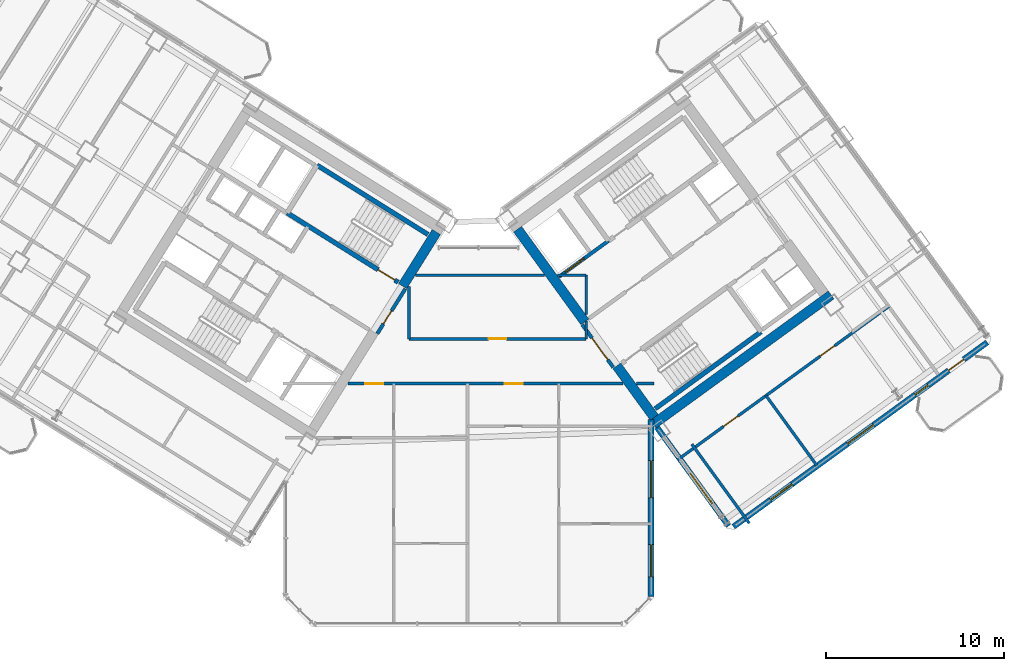
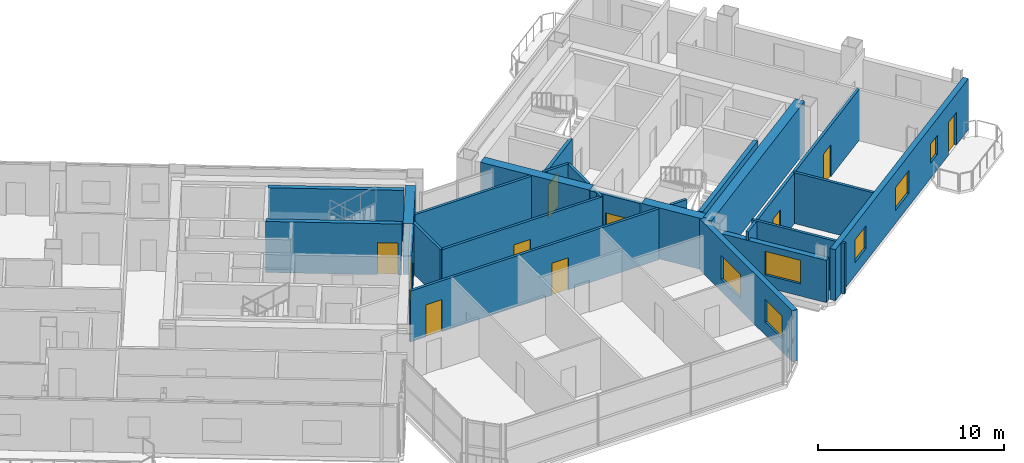
# One storey, part 19 of 29: 24 walls, 10 doors, 6 windows, 16 openings.
"""IFC4 building model written with IfcOpenShell, lengths in metres."""

from ifc_helpers import new_model, si_unit, direction, frame, frame_2d, origin, place, context, subcontext, project, spatial, rectangle, extrude, source, transform, mapped, material, layer, layer_set, type_object, element, fill, save


model = new_model("IFC4")

# Units and contexts
model_context = context("Model", 3, precision=1e-05, world=origin(), true_north=direction((0.0, 1.0)))
body_context = subcontext(model_context, "Body", "Model", "MODEL_VIEW")
ifc_project = project(units=[si_unit("LENGTHUNIT", "METRE"), si_unit("AREAUNIT", "SQUARE_METRE"), si_unit("VOLUMEUNIT", "CUBIC_METRE"), si_unit("PLANEANGLEUNIT", "RADIAN"), si_unit("MASSUNIT", "GRAM", prefix="KILO")], contexts=[model_context])

# Site, building, storey
site_placement = place(None, origin())
site = spatial("IfcSite", under=ifc_project, at=site_placement, CompositionType="ELEMENT")
building_placement = place(site_placement, origin())
building = spatial("IfcBuilding", under=site, at=building_placement, Name="Tlacorven Tower", CompositionType="ELEMENT")
storey_placement = place(building_placement, frame((0.0, 0.0, 158.699951171875)))
storey = spatial("IfcBuildingStorey", under=building, at=storey_placement, Name="L40", CompositionType="ELEMENT", Elevation=158.699951171875)

# Walls
ifc_material_1 = material(Name="Concrete C60/75", Category="concrete")
ifc_layer_1 = layer(ifc_material_1, 0.550048828125)
ifc_layer_set_1 = layer_set([ifc_layer_1], Name="Concrete C60/75")
wall_type_1 = type_object("IfcWallType", Name="WL-COR-550", PredefinedType="SHEAR", material=ifc_layer_set_1)
wall_1_placement = place(storey_placement, frame((40.194091796875, 23.92236328125, 0.0), z_axis=(0.0, 0.0, 1.0), x_axis=(-0.529888438328, -0.848067357541, 0.0)))
element("IfcWall", 1, at=wall_1_placement, inside=storey, type_object=wall_type_1, Name="L40 W core end wall E1.1", PredefinedType="SHEAR", context=body_context, shape_type="SweptSolid", body=[
    extrude(rectangle(XDim=3.574951171875, YDim=0.550048828125, at=frame_2d((1.78759765625, 0.0))), origin(), (0.0, 0.0, 1.0), 3.35009765625),
])
wall_2_placement = place(storey_placement, frame((52.35888671875, 13.1396484375, 0.0), z_axis=(0.0, 0.0, 1.0), x_axis=(0.809014896919, 0.587788139183, 0.0)))
element("IfcWall", 2, at=wall_2_placement, inside=storey, type_object=wall_type_1, Name="L40 E core shear wall S1", PredefinedType="SHEAR", context=body_context, shape_type="SweptSolid", body=[
    extrude(rectangle(XDim=12.340087890625, YDim=0.550048828125, at=frame_2d((6.169921875, 0.0))), origin(), (0.0, 0.0, 1.0), 3.35009765625),
])
wall_3_placement = place(storey_placement, frame((52.419677734375, 13.52392578125, 0.0), z_axis=(0.0, 0.0, 1.0), x_axis=(-0.587802113096, 0.809004744015, 0.0)))
element("IfcWall", 3, at=wall_3_placement, inside=storey, type_object=wall_type_1, Name="L40 E core end wall E1.1", PredefinedType="SHEAR", context=body_context, shape_type="SweptSolid", body=[
    extrude(rectangle(XDim=3.574951171875, YDim=0.550048828125, at=frame_2d((1.78759765625, 0.0))), origin(), (0.0, 0.0, 1.0), 3.35009765625),
])
wall_4_placement = place(storey_placement, frame((48.525634765625, 18.883544921875, 0.0), z_axis=(0.0, 0.0, 1.0), x_axis=(-0.587764933797, 0.809031756236, 0.0)))
element("IfcWall", 4, at=wall_4_placement, inside=storey, type_object=wall_type_1, Name="L40 E core end wall E1.2", PredefinedType="SHEAR", context=body_context, shape_type="SweptSolid", body=[
    extrude(rectangle(XDim=6.425048828125, YDim=0.550048828125, at=frame_2d((3.21240234375, 0.0))), origin(), (0.0, 0.0, 1.0), 3.35009765625),
])

# Wall, openings, doors
ifc_material_2 = material(Name="Gypsum plasterboard acoustic partition", Category="gypsum")
ifc_layer_2 = layer(ifc_material_2, 0.159912109375)
ifc_layer_set_2 = layer_set([ifc_layer_2], Name="Gypsum plasterboard acoustic partition")
wall_type_2 = type_object("IfcWallType", Name="WL-DEM-160", PredefinedType="PARTITIONING", material=ifc_layer_set_2)
wall_5_placement = place(storey_placement, frame((35.2373046875, 15.419921875, 0.0), z_axis=(0.0, 0.0, 1.0), x_axis=(1.0, 0.0, 0.0)))
wall_5 = element("IfcWall", 5, at=wall_5_placement, inside=storey, type_object=wall_type_2, Name="L40 Knuckle Corridor South Wall", PredefinedType="PARTITIONING", context=body_context, shape_type="SweptSolid", body=[
    extrude(rectangle(XDim=15.431640625, YDim=0.159912109375, at=frame_2d((7.7158203125, 0.0))), origin(), (0.0, 0.0, 1.0), 3.340087890625),
])
opening_1_placement = place(wall_5_placement, frame((0.968994140625, 0.0, 0.0)))
opening_1 = element("IfcOpeningElement", 6, at=opening_1_placement, cuts=wall_5, Name="Opening D11", PredefinedType="OPENING", context=body_context, shape_type="SweptSolid", body=[
    extrude(rectangle(XDim=1.0, YDim=2.10009765625, at=frame_2d((0.5, 1.050048828125))), frame((0.0, 0.08984375, 0.0), z_axis=(0.0, -1.0, 0.0), x_axis=(1.0, 0.0, 0.0)), (0.0, 0.0, 1.0), 0.179931640625),
])
opening_2_placement = place(wall_5_placement, frame((8.798583984375, 0.0, 0.0)))
opening_2 = element("IfcOpeningElement", 7, at=opening_2_placement, cuts=wall_5, Name="Opening D11", PredefinedType="OPENING", context=body_context, shape_type="SweptSolid", body=[
    extrude(rectangle(XDim=1.0, YDim=2.10009765625, at=frame_2d((0.5, 1.050048828125))), frame((0.0, 0.08984375, 0.0), z_axis=(0.0, -1.0, 0.0), x_axis=(1.0, 0.0, 0.0)), (0.0, 0.0, 1.0), 0.179931640625),
])
ifc_material_3 = material(Name="Fire-rated steel door assembly", Category="steel")
door_type_1 = type_object("IfcDoorType", Name="DR-FLT-FD60-1000", OperationType="NOTDEFINED", PredefinedType="DOOR", material=ifc_material_3)
shared_shape_1 = source(origin(), body_context, "Body", "SweptSolid", [
    extrude(rectangle(XDim=1.0, YDim=2.10009765625, at=frame_2d((0.5, 1.050048828125))), frame((0.0, 0.02490234375, 0.0), z_axis=(0.0, -1.0, 0.0), x_axis=(1.0, 0.0, 0.0)), (0.0, 0.0, 1.0), 0.050048828125),
])
door_1_placement = place(opening_1_placement, frame((1.0, 0.0, 0.0), z_axis=(0.0, 0.0, 1.0), x_axis=(-1.0, 0.0, 0.0)))
door_1 = element("IfcDoor", 8, at=door_1_placement, inside=storey, type_object=door_type_1, Name="L40 door 051", OperationType="SINGLE_SWING_RIGHT", OverallHeight=2.10009765625, OverallWidth=1.0, PredefinedType="DOOR", context=body_context, shape_type="MappedRepresentation", body=[
    mapped(shared_shape_1, transform((0.0, 0.0, 0.0), scale=1.0)),
])
fill(opening_1, door_1)
door_2_placement = place(opening_2_placement, frame((1.0, 0.0, 0.0), z_axis=(0.0, 0.0, 1.0), x_axis=(-1.0, 0.0, 0.0)))
door_2 = element("IfcDoor", 9, at=door_2_placement, inside=storey, type_object=door_type_1, Name="L40 door 056", OperationType="SINGLE_SWING_LEFT", OverallHeight=2.10009765625, OverallWidth=1.0, PredefinedType="DOOR", context=body_context, shape_type="MappedRepresentation", body=[
    mapped(shared_shape_1, transform((0.0, 0.0, 0.0), scale=1.0)),
])
fill(opening_2, door_2)

# Wall
wall_6_placement = place(storey_placement, frame((51.41552734375, 15.419921875, 0.0), z_axis=(0.0, 0.0, 1.0), x_axis=(1.0, 0.0, 0.0)))
element("IfcWall", 10, at=wall_6_placement, inside=storey, type_object=wall_type_2, Name="L40 Knuckle Corridor South Wall", PredefinedType="PARTITIONING", context=body_context, shape_type="SweptSolid", body=[
    extrude(rectangle(XDim=0.984375, YDim=0.159912109375, at=frame_2d((0.4921875, 0.0))), origin(), (0.0, 0.0, 1.0), 3.340087890625),
])

# Wall, opening, door
wall_7_placement = place(storey_placement, frame((38.64990234375, 17.929931640625, 0.0), z_axis=(0.0, 0.0, 1.0), x_axis=(1.0, 0.0, 0.0)))
wall_7 = element("IfcWall", 11, at=wall_7_placement, inside=storey, type_object=wall_type_2, Name="L40 partition 75", PredefinedType="PARTITIONING", context=body_context, shape_type="SweptSolid", body=[
    extrude(rectangle(XDim=9.9501953125, YDim=0.159912109375, at=frame_2d((4.97509765625, 0.0))), origin(), (0.0, 0.0, 1.0), 3.340087890625),
])
opening_3_placement = place(wall_7_placement, frame((4.47509765625, 0.0, 0.0)))
opening_3 = element("IfcOpeningElement", 12, at=opening_3_placement, cuts=wall_7, Name="Opening D11", PredefinedType="OPENING", context=body_context, shape_type="SweptSolid", body=[
    extrude(rectangle(XDim=1.0, YDim=2.10009765625, at=frame_2d((0.5, 1.050048828125))), frame((0.0, 0.08984375, 0.0), z_axis=(0.0, -1.0, 0.0), x_axis=(1.0, 0.0, 0.0)), (0.0, 0.0, 1.0), 0.179931640625),
])
door_3_placement = place(opening_3_placement, origin())
door_3 = element("IfcDoor", 13, at=door_3_placement, inside=storey, type_object=door_type_1, Name="L40 door 046", OperationType="SINGLE_SWING_LEFT", OverallHeight=2.10009765625, OverallWidth=1.0, PredefinedType="DOOR", context=body_context, shape_type="MappedRepresentation", body=[
    mapped(shared_shape_1, transform((0.0, 0.0, 0.0), scale=1.0)),
])
fill(opening_3, door_3)

# Walls
wall_8_placement = place(storey_placement, frame((38.64990234375, 17.929931640625, 0.0), z_axis=(0.0, 0.0, 1.0), x_axis=(0.0, 1.0, 0.0)))
element("IfcWall", 14, at=wall_8_placement, inside=storey, type_object=wall_type_2, Name="L40 partition 76", PredefinedType="PARTITIONING", context=body_context, shape_type="SweptSolid", body=[
    extrude(rectangle(XDim=2.951416015625, YDim=0.159912109375, at=frame_2d((1.4755859375, 0.0))), origin(), (0.0, 0.0, 1.0), 3.340087890625),
])
wall_9_placement = place(storey_placement, frame((48.60009765625, 17.929931640625, 0.0), z_axis=(0.0, 0.0, 1.0), x_axis=(0.0, 1.0, 0.0)))
element("IfcWall", 15, at=wall_9_placement, inside=storey, type_object=wall_type_2, Name="L40 partition 77", PredefinedType="PARTITIONING", context=body_context, shape_type="SweptSolid", body=[
    extrude(rectangle(XDim=0.99267578125, YDim=0.159912109375, at=frame_2d((0.496337890625, 0.0))), origin(), (0.0, 0.0, 1.0), 3.340087890625),
])
wall_10_placement = place(storey_placement, frame((48.60009765625, 19.295166015625, 0.0), z_axis=(0.0, 0.0, 1.0), x_axis=(0.0, 1.0, 0.0)))
element("IfcWall", 16, at=wall_10_placement, inside=storey, type_object=wall_type_2, Name="L40 partition 77", PredefinedType="PARTITIONING", context=body_context, shape_type="SweptSolid", body=[
    extrude(rectangle(XDim=2.204833984375, YDim=0.159912109375, at=frame_2d((1.1025390625, 0.0))), origin(), (0.0, 0.0, 1.0), 3.340087890625),
])
wall_11_placement = place(storey_placement, frame((39.03662109375, 21.5, 0.0), z_axis=(0.0, 0.0, 1.0), x_axis=(1.0, 0.0, 0.0)))
element("IfcWall", 17, at=wall_11_placement, inside=storey, type_object=wall_type_2, Name="L40 partition 78", PredefinedType="PARTITIONING", context=body_context, shape_type="SweptSolid", body=[
    extrude(rectangle(XDim=7.21484375, YDim=0.159912109375, at=frame_2d((3.607421875, 0.0))), origin(), (0.0, 0.0, 1.0), 3.340087890625),
])
wall_12_placement = place(storey_placement, frame((46.998046875, 21.5, 0.0), z_axis=(0.0, 0.0, 1.0), x_axis=(1.0, 0.0, 0.0)))
element("IfcWall", 18, at=wall_12_placement, inside=storey, type_object=wall_type_2, Name="L40 partition 78", PredefinedType="PARTITIONING", context=body_context, shape_type="SweptSolid", body=[
    extrude(rectangle(XDim=1.60205078125, YDim=0.159912109375, at=frame_2d((0.801025390625, 0.0))), origin(), (0.0, 0.0, 1.0), 3.340087890625),
])

# Wall, openings, doors
wall_13_placement = place(storey_placement, frame((53.70458984375, 11.1259765625, 0.0), z_axis=(0.0, 0.0, 1.0), x_axis=(0.809014504436, 0.587788679384, 0.0)))
wall_13 = element("IfcWall", 19, at=wall_13_placement, inside=storey, type_object=wall_type_2, Name="L40 partition 98", PredefinedType="PARTITIONING", context=body_context, shape_type="SweptSolid", body=[
    extrude(rectangle(XDim=14.669921875, YDim=0.159912109375, at=frame_2d((7.3349609375, 0.0))), origin(), (0.0, 0.0, 1.0), 3.340087890625),
])
opening_4_placement = place(wall_13_placement, frame((3.215087890625, 0.0, 0.0)))
opening_4 = element("IfcOpeningElement", 20, at=opening_4_placement, cuts=wall_13, Name="Opening D11", PredefinedType="OPENING", context=body_context, shape_type="SweptSolid", body=[
    extrude(rectangle(XDim=1.0, YDim=2.10009765625, at=frame_2d((0.5, 1.050048828125))), frame((0.0, 0.08984375, 0.0), z_axis=(0.0, -1.0, 0.0), x_axis=(1.0, 0.0, 0.0)), (0.0, 0.0, 1.0), 0.179931640625),
])
opening_5_placement = place(wall_13_placement, frame((9.9150390625, 0.0, 0.0)))
opening_5 = element("IfcOpeningElement", 21, at=opening_5_placement, cuts=wall_13, Name="Opening D11", PredefinedType="OPENING", context=body_context, shape_type="SweptSolid", body=[
    extrude(rectangle(XDim=1.0, YDim=2.10009765625, at=frame_2d((0.5, 1.050048828125))), frame((0.0, 0.08984375, 0.0), z_axis=(0.0, -1.0, 0.0), x_axis=(1.0, 0.0, 0.0)), (0.0, 0.0, 1.0), 0.179931640625),
])
door_4_placement = place(opening_4_placement, origin())
door_4 = element("IfcDoor", 22, at=door_4_placement, inside=storey, type_object=door_type_1, Name="L40 door 064", OperationType="SINGLE_SWING_LEFT", OverallHeight=2.10009765625, OverallWidth=1.0, PredefinedType="DOOR", context=body_context, shape_type="MappedRepresentation", body=[
    mapped(shared_shape_1, transform((0.0, 0.0, 0.0), scale=1.0)),
])
fill(opening_4, door_4)
door_5_placement = place(opening_5_placement, origin())
door_5 = element("IfcDoor", 23, at=door_5_placement, inside=storey, type_object=door_type_1, Name="L40 door 065", OperationType="SINGLE_SWING_RIGHT", OverallHeight=2.10009765625, OverallWidth=1.0, PredefinedType="DOOR", context=body_context, shape_type="MappedRepresentation", body=[
    mapped(shared_shape_1, transform((0.0, 0.0, 0.0), scale=1.0)),
])
fill(opening_5, door_5)

# Walls
wall_14_placement = place(storey_placement, frame((57.747314453125, 7.586181640625, 0.0), z_axis=(0.0, 0.0, 1.0), x_axis=(-0.587784893399, 0.809017255126, 0.0)))
element("IfcWall", 24, at=wall_14_placement, inside=storey, type_object=wall_type_2, Name="L40 EC West Throat Wall", PredefinedType="PARTITIONING", context=body_context, shape_type="SweptSolid", body=[
    extrude(rectangle(XDim=5.480224609375, YDim=0.159912109375, at=frame_2d((2.740234375, 0.0))), origin(), (0.0, 0.0, 1.0), 3.340087890625),
])
wall_15_placement = place(storey_placement, frame((61.538818359375, 10.822998046875, 0.0), z_axis=(0.0, 0.0, 1.0), x_axis=(-0.587785532001, 0.809016791155, 0.0)))
element("IfcWall", 25, at=wall_15_placement, inside=storey, type_object=wall_type_2, Name="L40 EC Demising Wall 1", PredefinedType="PARTITIONING", context=body_context, shape_type="SweptSolid", body=[
    extrude(rectangle(XDim=4.85009765625, YDim=0.159912109375, at=frame_2d((2.425048828125, 0.0))), origin(), (0.0, 0.0, 1.0), 3.340087890625),
])

# Wall, openings, door, windows
ifc_material_4 = material(Name="Precast concrete C45/55", Category="concrete")
ifc_layer_3 = layer(ifc_material_4, 0.320068359375)
ifc_layer_set_3 = layer_set([ifc_layer_3], Name="Precast concrete C45/55")
wall_type_3 = type_object("IfcWallType", Name="WL-EXT-320", PredefinedType="STANDARD", material=ifc_layer_set_3)
wall_16_placement = place(storey_placement, frame((71.097900390625, 17.73095703125, 0.0), z_axis=(0.0, 0.0, 1.0), x_axis=(-0.809021120468, -0.587779573171, 0.0)))
wall_16 = element("IfcWall", 26, at=wall_16_placement, inside=storey, type_object=wall_type_3, Name="L40 Masonry-Frame Recessed Facade Wall 6", PredefinedType="STANDARD", context=body_context, shape_type="SweptSolid", body=[
    extrude(rectangle(XDim=17.587646484375, YDim=0.320068359375, at=frame_2d((8.7939453125, 0.0))), origin(), (0.0, 0.0, 1.0), 3.35009765625),
])
opening_6_placement = place(wall_16_placement, frame((1.623779296875, 0.0, 0.0)))
opening_6 = element("IfcOpeningElement", 27, at=opening_6_placement, cuts=wall_16, Name="Opening D06", PredefinedType="OPENING", context=body_context, shape_type="SweptSolid", body=[
    extrude(rectangle(XDim=1.050048828125, YDim=2.14990234375, at=frame_2d((0.52490234375, 1.074951171875))), frame((0.0, 0.169921875, 0.0), z_axis=(0.0, -1.0, 0.0), x_axis=(1.0, 0.0, 0.0)), (0.0, 0.0, 1.0), 0.340087890625),
])
opening_7_placement = place(wall_16_placement, frame((4.103759765625, 0.0, 1.0)))
opening_7 = element("IfcOpeningElement", 28, at=opening_7_placement, cuts=wall_16, Name="Opening WN05", PredefinedType="OPENING", context=body_context, shape_type="SweptSolid", body=[
    extrude(rectangle(XDim=0.89990234375, YDim=1.25, at=frame_2d((0.449951171875, 0.625))), frame((0.0, 0.169921875, 0.0), z_axis=(0.0, -1.0, 0.0), x_axis=(1.0, 0.0, 0.0)), (0.0, 0.0, 1.0), 0.340087890625),
])
opening_8_placement = place(wall_16_placement, frame((7.878662109375, 0.0, 0.85009765625)))
opening_8 = element("IfcOpeningElement", 29, at=opening_8_placement, cuts=wall_16, Name="Opening WN01", PredefinedType="OPENING", context=body_context, shape_type="SweptSolid", body=[
    extrude(rectangle(XDim=1.800048828125, YDim=1.5, at=frame_2d((0.89990234375, 0.75))), frame((0.0, 0.169921875, 0.0), z_axis=(0.0, -1.0, 0.0), x_axis=(1.0, 0.0, 0.0)), (0.0, 0.0, 1.0), 0.340087890625),
])
opening_9_placement = place(wall_16_placement, frame((13.52880859375, 0.0, 0.85009765625)))
opening_9 = element("IfcOpeningElement", 30, at=opening_9_placement, cuts=wall_16, Name="Opening WN02", PredefinedType="OPENING", context=body_context, shape_type="SweptSolid", body=[
    extrude(rectangle(XDim=1.5, YDim=1.5, at=frame_2d((0.75, 0.75))), frame((0.0, 0.169921875, 0.0), z_axis=(0.0, -1.0, 0.0), x_axis=(1.0, 0.0, 0.0)), (0.0, 0.0, 1.0), 0.340087890625),
])
ifc_material_5 = material(Name="Powder-coated aluminium and timber door", Category="wood")
door_type_2 = type_object("IfcDoorType", Name="DR-EXT-BALC-1050", OperationType="NOTDEFINED", PredefinedType="DOOR", material=ifc_material_5)
shared_shape_2 = source(origin(), body_context, "Body", "SweptSolid", [
    extrude(rectangle(XDim=1.050048828125, YDim=2.14990234375, at=frame_2d((0.52490234375, 1.074951171875))), frame((0.0, 0.02490234375, 0.0), z_axis=(0.0, -1.0, 0.0), x_axis=(1.0, 0.0, 0.0)), (0.0, 0.0, 1.0), 0.050048828125),
])
door_6_placement = place(opening_6_placement, origin())
door_6 = element("IfcDoor", 31, at=door_6_placement, inside=storey, type_object=door_type_2, Name="L40 Outdoor Access Door BAL-L40-E-OUT", OperationType="SINGLE_SWING_LEFT", OverallHeight=2.14990234375, OverallWidth=1.050048828125, PredefinedType="DOOR", context=body_context, shape_type="MappedRepresentation", body=[
    mapped(shared_shape_2, transform((0.0, 0.0, 0.0), scale=1.0)),
])
fill(opening_6, door_6)
ifc_material_6 = material(Name="Dark solar low-E double glazing in anodised aluminium frame", Category="aluminium")
window_type_1 = type_object("IfcWindowType", Name="WN-APT-1800X1650", PartitioningType="SINGLE_PANEL", PredefinedType="WINDOW", material=ifc_material_6)
shared_shape_3 = source(origin(), body_context, "Body", "SweptSolid", [
    extrude(rectangle(XDim=1.800048828125, YDim=1.5, at=frame_2d((0.89990234375, 0.75))), frame((0.0, 0.030029296875, 0.0), z_axis=(0.0, -1.0, 0.0), x_axis=(1.0, 0.0, 0.0)), (0.0, 0.0, 1.0), 0.06005859375),
])
window_1_placement = place(opening_8_placement, origin())
window_1 = element("IfcWindow", 32, at=window_1_placement, inside=storey, type_object=window_type_1, Name="L40 Recessed Masonry-Frame Window L40-06.2", OverallHeight=1.5, OverallWidth=1.800048828125, PartitioningType="SINGLE_PANEL", PredefinedType="WINDOW", context=body_context, shape_type="MappedRepresentation", body=[
    mapped(shared_shape_3, transform((0.0, 0.0, 0.0), scale=1.0)),
])
fill(opening_8, window_1)
window_type_2 = type_object("IfcWindowType", Name="WN-APT-1500X1650", PartitioningType="SINGLE_PANEL", PredefinedType="WINDOW", material=ifc_material_6)
shared_shape_4 = source(origin(), body_context, "Body", "SweptSolid", [
    extrude(rectangle(XDim=1.5, YDim=1.5, at=frame_2d((0.75, 0.75))), frame((0.0, 0.030029296875, 0.0), z_axis=(0.0, -1.0, 0.0), x_axis=(1.0, 0.0, 0.0)), (0.0, 0.0, 1.0), 0.06005859375),
])
window_2_placement = place(opening_9_placement, origin())
window_2 = element("IfcWindow", 33, at=window_2_placement, inside=storey, type_object=window_type_2, Name="L40 Recessed Masonry-Frame Window L40-06.3", OverallHeight=1.5, OverallWidth=1.5, PartitioningType="SINGLE_PANEL", PredefinedType="WINDOW", context=body_context, shape_type="MappedRepresentation", body=[
    mapped(shared_shape_4, transform((0.0, 0.0, 0.0), scale=1.0)),
])
fill(opening_9, window_2)
window_type_3 = type_object("IfcWindowType", Name="WN-APT-0900X1350", PartitioningType="SINGLE_PANEL", PredefinedType="WINDOW", material=ifc_material_6)
shared_shape_5 = source(origin(), body_context, "Body", "SweptSolid", [
    extrude(rectangle(XDim=0.89990234375, YDim=1.25, at=frame_2d((0.449951171875, 0.625))), frame((0.0, 0.030029296875, 0.0), z_axis=(0.0, -1.0, 0.0), x_axis=(1.0, 0.0, 0.0)), (0.0, 0.0, 1.0), 0.06005859375),
])
window_3_placement = place(opening_7_placement, origin())
window_3 = element("IfcWindow", 34, at=window_3_placement, inside=storey, type_object=window_type_3, Name="L40 Recessed Masonry-Frame Window L40-06.1", OverallHeight=1.25, OverallWidth=0.89990234375, PartitioningType="SINGLE_PANEL", PredefinedType="WINDOW", context=body_context, shape_type="MappedRepresentation", body=[
    mapped(shared_shape_5, transform((0.0, 0.0, 0.0), scale=1.0)),
])
fill(opening_7, window_3)

# Wall, opening, window
wall_17_placement = place(storey_placement, frame((56.5810546875, 7.43896484375, 0.0), z_axis=(0.0, 0.0, 1.0), x_axis=(-0.587771678454, 0.809026856172, 0.0)))
wall_17 = element("IfcWall", 35, at=wall_17_placement, inside=storey, type_object=wall_type_3, Name="L40 Masonry-Frame Recessed Facade Wall 7", PredefinedType="STANDARD", context=body_context, shape_type="SweptSolid", body=[
    extrude(rectangle(XDim=6.82373046875, YDim=0.320068359375, at=frame_2d((3.411865234375, 0.0))), origin(), (0.0, 0.0, 1.0), 2.775146484375),
])
opening_10_placement = place(wall_17_placement, frame((1.53125, 0.0, 0.800048828125)))
opening_10 = element("IfcOpeningElement", 36, at=opening_10_placement, cuts=wall_17, Name="Opening WN04", PredefinedType="OPENING", context=body_context, shape_type="SweptSolid", body=[
    extrude(rectangle(XDim=2.10009765625, YDim=1.550048828125, at=frame_2d((1.050048828125, 0.77490234375))), frame((0.0, 0.169921875, 0.0), z_axis=(0.0, -1.0, 0.0), x_axis=(1.0, 0.0, 0.0)), (0.0, 0.0, 1.0), 0.340087890625),
])
window_type_4 = type_object("IfcWindowType", Name="WN-APT-2100X1750", PartitioningType="SINGLE_PANEL", PredefinedType="WINDOW", material=ifc_material_6)
shared_shape_6 = source(origin(), body_context, "Body", "SweptSolid", [
    extrude(rectangle(XDim=2.10009765625, YDim=1.550048828125, at=frame_2d((1.050048828125, 0.77490234375))), frame((0.0, 0.030029296875, 0.0), z_axis=(0.0, -1.0, 0.0), x_axis=(1.0, 0.0, 0.0)), (0.0, 0.0, 1.0), 0.06005859375),
])
window_4_placement = place(opening_10_placement, origin())
window_4 = element("IfcWindow", 37, at=window_4_placement, inside=storey, type_object=window_type_4, Name="L40 Recessed Masonry-Frame Window L40-07.1", OverallHeight=1.550048828125, OverallWidth=2.10009765625, PartitioningType="SINGLE_PANEL", PredefinedType="WINDOW", context=body_context, shape_type="MappedRepresentation", body=[
    mapped(shared_shape_6, transform((0.0, 0.0, 0.0), scale=1.0)),
])
fill(opening_10, window_4)

# Wall, openings, windows
wall_18_placement = place(storey_placement, frame((52.239990234375, 13.4140625, 0.0), z_axis=(0.0, 0.0, 1.0), x_axis=(0.0, -1.0, 0.0)))
wall_18 = element("IfcWall", 38, at=wall_18_placement, inside=storey, type_object=wall_type_3, Name="L40 Masonry-Frame Recessed Facade Wall 8", PredefinedType="STANDARD", context=body_context, shape_type="SweptSolid", body=[
    extrude(rectangle(XDim=9.94775390625, YDim=0.320068359375, at=frame_2d((4.973876953125, 0.0))), origin(), (0.0, 0.0, 1.0), 3.35009765625),
])
opening_11_placement = place(wall_18_placement, frame((2.31005859375, 0.0, 0.800048828125)))
opening_11 = element("IfcOpeningElement", 39, at=opening_11_placement, cuts=wall_18, Name="Opening WN04", PredefinedType="OPENING", context=body_context, shape_type="SweptSolid", body=[
    extrude(rectangle(XDim=2.10009765625, YDim=1.550048828125, at=frame_2d((1.050048828125, 0.77490234375))), frame((0.0, 0.169921875, 0.0), z_axis=(0.0, -1.0, 0.0), x_axis=(1.0, 0.0, 0.0)), (0.0, 0.0, 1.0), 0.340087890625),
])
opening_12_placement = place(wall_18_placement, frame((7.033447265625, 0.0, 0.85009765625)))
opening_12 = element("IfcOpeningElement", 40, at=opening_12_placement, cuts=wall_18, Name="Opening WN01", PredefinedType="OPENING", context=body_context, shape_type="SweptSolid", body=[
    extrude(rectangle(XDim=1.800048828125, YDim=1.5, at=frame_2d((0.89990234375, 0.75))), frame((0.0, 0.169921875, 0.0), z_axis=(0.0, -1.0, 0.0), x_axis=(1.0, 0.0, 0.0)), (0.0, 0.0, 1.0), 0.340087890625),
])
window_5_placement = place(opening_11_placement, origin())
window_5 = element("IfcWindow", 41, at=window_5_placement, inside=storey, type_object=window_type_4, Name="L40 Recessed Masonry-Frame Window L40-08.1", OverallHeight=1.550048828125, OverallWidth=2.10009765625, PartitioningType="SINGLE_PANEL", PredefinedType="WINDOW", context=body_context, shape_type="MappedRepresentation", body=[
    mapped(shared_shape_6, transform((0.0, 0.0, 0.0), scale=1.0)),
])
fill(opening_11, window_5)
window_6_placement = place(opening_12_placement, origin())
window_6 = element("IfcWindow", 42, at=window_6_placement, inside=storey, type_object=window_type_1, Name="L40 Recessed Masonry-Frame Window L40-08.2", OverallHeight=1.5, OverallWidth=1.800048828125, PartitioningType="SINGLE_PANEL", PredefinedType="WINDOW", context=body_context, shape_type="MappedRepresentation", body=[
    mapped(shared_shape_3, transform((0.0, 0.0, 0.0), scale=1.0)),
])
fill(opening_12, window_6)

# Wall, opening, door
ifc_material_7 = material(Name="Concrete C40/50", Category="concrete")
ifc_layer_4 = layer(ifc_material_7, 0.199951171875)
ifc_layer_set_4 = layer_set([ifc_layer_4], Name="Concrete C40/50")
wall_type_4 = type_object("IfcWallType", Name="WL-SHF-200", PredefinedType="STANDARD", material=ifc_layer_set_4)
wall_19_placement = place(storey_placement, frame((47.0654296875, 21.4072265625, 0.0), z_axis=(0.0, 0.0, 1.0), x_axis=(0.809032984992, 0.587763242466, 0.0)))
wall_19 = element("IfcWall", 43, at=wall_19_placement, inside=storey, type_object=wall_type_4, Name="L40 Core E Firefighting Lift Shaft Front Wall", PredefinedType="STANDARD", context=body_context, shape_type="SweptSolid", body=[
    extrude(rectangle(XDim=3.447998046875, YDim=0.199951171875, at=frame_2d((1.72412109375, 0.0))), origin(), (0.0, 0.0, 1.0), 3.340087890625),
])
opening_13_placement = place(wall_19_placement, frame((0.4580078125, 0.0, 0.0)))
opening_13 = element("IfcOpeningElement", 44, at=opening_13_placement, cuts=wall_19, Name="Opening LD03", PredefinedType="OPENING", context=body_context, shape_type="SweptSolid", body=[
    extrude(rectangle(XDim=1.300048828125, YDim=2.199951171875, at=frame_2d((0.64990234375, 1.10009765625))), frame((0.0, 0.10986328125, 0.0), z_axis=(0.0, -1.0, 0.0), x_axis=(1.0, 0.0, 0.0)), (0.0, 0.0, 1.0), 0.219970703125),
])
door_type_3 = type_object("IfcDoorType", Name="DR-LFT-SLID-1300", OperationType="DOUBLE_DOOR_SLIDING", PredefinedType="DOOR", material=ifc_material_3)
shared_shape_7 = source(origin(), body_context, "Body", "SweptSolid", [
    extrude(rectangle(XDim=1.300048828125, YDim=2.199951171875, at=frame_2d((0.64990234375, 1.10009765625))), frame((0.0, 0.02490234375, 0.0), z_axis=(0.0, -1.0, 0.0), x_axis=(1.0, 0.0, 0.0)), (0.0, 0.0, 1.0), 0.050048828125),
])
door_7_placement = place(opening_13_placement, origin())
door_7 = element("IfcDoor", 45, at=door_7_placement, inside=storey, type_object=door_type_3, Name="L40 Lift FFL-E1 Sliding Landing Door", OperationType="DOUBLE_DOOR_SLIDING", OverallHeight=2.199951171875, OverallWidth=1.300048828125, PredefinedType="DOOR", context=body_context, shape_type="MappedRepresentation", body=[
    mapped(shared_shape_7, transform((0.0, 0.0, 0.0), scale=1.0)),
])
fill(opening_13, door_7)

wall_20_placement = place(storey_placement, frame((38.451416015625, 20.737060546875, 0.0), z_axis=(0.0, 0.0, 1.0), x_axis=(-0.529924799939, -0.848044637038, 0.0)))
wall_20 = element("IfcWall", 46, at=wall_20_placement, inside=storey, type_object=wall_type_4, Name="L40 partition 73", PredefinedType="STANDARD", context=body_context, shape_type="SweptSolid", body=[
    extrude(rectangle(XDim=2.9599609375, YDim=0.199951171875, at=frame_2d((1.47998046875, 0.0))), origin(), (0.0, 0.0, 1.0), 3.340087890625),
])
opening_14_placement = place(wall_20_placement, frame((1.4599609375, 0.0, 0.0)))
opening_14 = element("IfcOpeningElement", 47, at=opening_14_placement, cuts=wall_20, Name="Opening D19", PredefinedType="OPENING", context=body_context, shape_type="SweptSolid", body=[
    extrude(rectangle(XDim=0.860107421875, YDim=2.050048828125, at=frame_2d((0.43017578125, 1.02490234375))), frame((0.0, 0.10986328125, 0.0), z_axis=(0.0, -1.0, 0.0), x_axis=(1.0, 0.0, 0.0)), (0.0, 0.0, 1.0), 0.219970703125),
])
door_type_4 = type_object("IfcDoorType", Name="DR-RSR-FD60-0860", OperationType="NOTDEFINED", PredefinedType="DOOR", material=ifc_material_3)
shared_shape_8 = source(origin(), body_context, "Body", "SweptSolid", [
    extrude(rectangle(XDim=0.860107421875, YDim=2.050048828125, at=frame_2d((0.43017578125, 1.02490234375))), frame((0.0, 0.02490234375, 0.0), z_axis=(0.0, -1.0, 0.0), x_axis=(1.0, 0.0, 0.0)), (0.0, 0.0, 1.0), 0.050048828125),
])
door_8_placement = place(opening_14_placement, frame((0.860107421875, 0.0, 0.0), z_axis=(0.0, 0.0, 1.0), x_axis=(-1.0, 0.0, 0.0)))
door_8 = element("IfcDoor", 48, at=door_8_placement, inside=storey, type_object=door_type_4, Name="L40 door 047", OperationType="SINGLE_SWING_LEFT", OverallHeight=2.050048828125, OverallWidth=0.860107421875, PredefinedType="DOOR", context=body_context, shape_type="MappedRepresentation", body=[
    mapped(shared_shape_8, transform((0.0, 0.0, 0.0), scale=1.0)),
])
fill(opening_14, door_8)

wall_21_placement = place(storey_placement, frame((50.119140625, 16.3330078125, 0.0), z_axis=(0.0, 0.0, 1.0), x_axis=(-0.587749856981, 0.809042709391, 0.0)))
wall_21 = element("IfcWall", 49, at=wall_21_placement, inside=storey, type_object=wall_type_4, Name="L40 partition 79", PredefinedType="STANDARD", context=body_context, shape_type="SweptSolid", body=[
    extrude(rectangle(XDim=2.9599609375, YDim=0.199951171875, at=frame_2d((1.47998046875, 0.0))), origin(), (0.0, 0.0, 1.0), 3.340087890625),
])
opening_15_placement = place(wall_21_placement, frame((0.530029296875, 0.0, 0.0)))
opening_15 = element("IfcOpeningElement", 50, at=opening_15_placement, cuts=wall_21, Name="Opening D10", PredefinedType="OPENING", context=body_context, shape_type="SweptSolid", body=[
    extrude(rectangle(XDim=1.5, YDim=2.14990234375, at=frame_2d((0.75, 1.074951171875))), frame((0.0, 0.10986328125, 0.0), z_axis=(0.0, -1.0, 0.0), x_axis=(1.0, 0.0, 0.0)), (0.0, 0.0, 1.0), 0.219970703125),
])
door_type_5 = type_object("IfcDoorType", Name="DR-LOB-FD60-1500", OperationType="DOUBLE_DOOR_SINGLE_SWING", PredefinedType="DOOR", material=ifc_material_3)
shared_shape_9 = source(origin(), body_context, "Body", "SweptSolid", [
    extrude(rectangle(XDim=1.5, YDim=2.14990234375, at=frame_2d((0.75, 1.074951171875))), frame((0.0, 0.02490234375, 0.0), z_axis=(0.0, -1.0, 0.0), x_axis=(1.0, 0.0, 0.0)), (0.0, 0.0, 1.0), 0.050048828125),
])
door_9_placement = place(opening_15_placement, frame((1.5, 0.0, 0.0), z_axis=(0.0, 0.0, 1.0), x_axis=(-1.0, 0.0, 0.0)))
door_9 = element("IfcDoor", 51, at=door_9_placement, inside=storey, type_object=door_type_5, Name="L40 door 048", OperationType="DOUBLE_DOOR_SINGLE_SWING", OverallHeight=2.14990234375, OverallWidth=1.5, PredefinedType="DOOR", context=body_context, shape_type="MappedRepresentation", body=[
    mapped(shared_shape_9, transform((0.0, 0.0, 0.0), scale=1.0)),
])
fill(opening_15, door_9)

# Wall
ifc_material_8 = material(Name="Concrete C50/60", Category="concrete")
ifc_layer_5 = layer(ifc_material_8, 0.260009765625)
ifc_layer_set_5 = layer_set([ifc_layer_5], Name="Concrete C50/60")
wall_type_5 = type_object("IfcWallType", Name="WL-STW-260", PredefinedType="SHEAR", material=ifc_layer_set_5)
wall_22_placement = place(storey_placement, frame((39.720947265625, 23.787841796875, 0.0), z_axis=(0.0, 0.0, 1.0), x_axis=(-0.848054434086, 0.529909121291, 0.0)))
element("IfcWall", 52, at=wall_22_placement, inside=storey, type_object=wall_type_5, Name="L40 Stair W2 Far Shear Wall", PredefinedType="SHEAR", context=body_context, shape_type="SweptSolid", body=[
    extrude(rectangle(XDim=7.330078125, YDim=0.260009765625, at=frame_2d((3.6650390625, 0.0))), origin(), (0.0, 0.0, 1.0), 3.35009765625),
])

# Wall, opening, door
wall_23_placement = place(storey_placement, frame((38.04638671875, 21.10791015625, 0.0), z_axis=(0.0, 0.0, 1.0), x_axis=(-0.848054434086, 0.529909121291, 0.0)))
wall_23 = element("IfcWall", 53, at=wall_23_placement, inside=storey, type_object=wall_type_5, Name="L40 Stair W2 Lobby Shear Wall", PredefinedType="SHEAR", context=body_context, shape_type="SweptSolid", body=[
    extrude(rectangle(XDim=7.330078125, YDim=0.260009765625, at=frame_2d((3.6650390625, 0.0))), origin(), (0.0, 0.0, 1.0), 3.35009765625),
])
opening_16_placement = place(wall_23_placement, frame((0.219970703125, 0.0, 0.0)))
opening_16 = element("IfcOpeningElement", 54, at=opening_16_placement, cuts=wall_23, Name="Opening D07", PredefinedType="OPENING", context=body_context, shape_type="SweptSolid", body=[
    extrude(rectangle(XDim=1.10009765625, YDim=2.10009765625, at=frame_2d((0.550048828125, 1.050048828125))), frame((0.0, 0.14013671875, 0.0), z_axis=(0.0, -1.0, 0.0), x_axis=(1.0, 0.0, 0.0)), (0.0, 0.0, 1.0), 0.280029296875),
])
door_type_6 = type_object("IfcDoorType", Name="DR-STR-FD90-1100", OperationType="NOTDEFINED", PredefinedType="DOOR", material=ifc_material_3)
shared_shape_10 = source(origin(), body_context, "Body", "SweptSolid", [
    extrude(rectangle(XDim=1.10009765625, YDim=2.10009765625, at=frame_2d((0.550048828125, 1.050048828125))), frame((0.0, 0.02490234375, 0.0), z_axis=(0.0, -1.0, 0.0), x_axis=(1.0, 0.0, 0.0)), (0.0, 0.0, 1.0), 0.050048828125),
])
door_10_placement = place(opening_16_placement, origin())
door_10 = element("IfcDoor", 55, at=door_10_placement, inside=storey, type_object=door_type_6, Name="L40 Exit Stair W2 Fire Door", OperationType="SINGLE_SWING_LEFT", OverallHeight=2.10009765625, OverallWidth=1.10009765625, PredefinedType="DOOR", context=body_context, shape_type="MappedRepresentation", body=[
    mapped(shared_shape_10, transform((0.0, 0.0, 0.0), scale=1.0)),
])
fill(opening_16, door_10)

# Wall
wall_24_placement = place(storey_placement, frame((52.47216796875, 14.01318359375, 0.0), z_axis=(0.0, 0.0, 1.0), x_axis=(0.809028366311, 0.587769599847, 0.0)))
element("IfcWall", 56, at=wall_24_placement, inside=storey, type_object=wall_type_5, Name="L40 Stair E2 Far Shear Wall", PredefinedType="SHEAR", context=body_context, shape_type="SweptSolid", body=[
    extrude(rectangle(XDim=7.330078125, YDim=0.260009765625, at=frame_2d((3.6650390625, 0.0))), origin(), (0.0, 0.0, 1.0), 3.35009765625),
])

save(model, "model.ifc")
